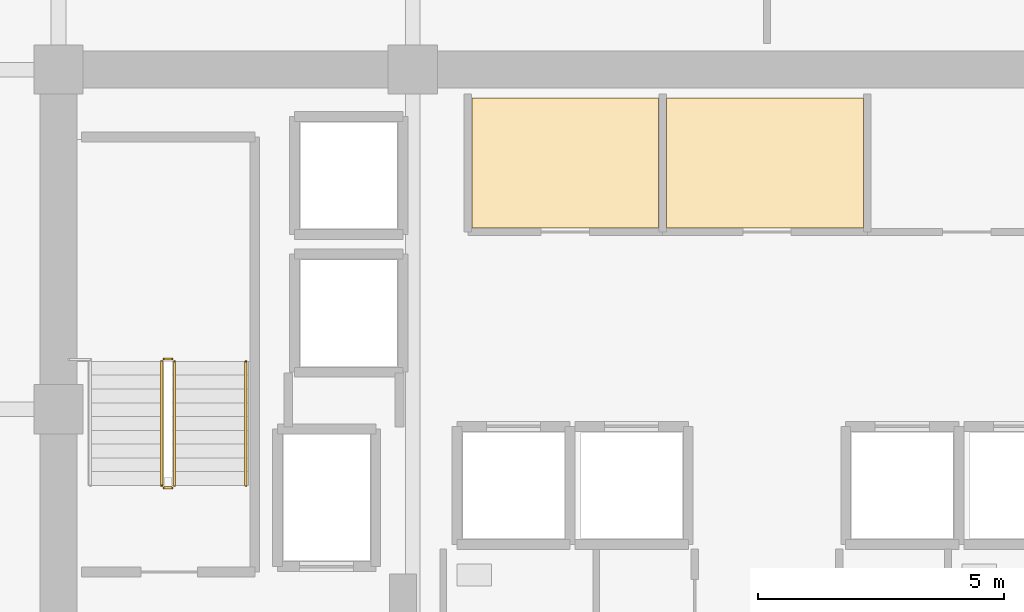
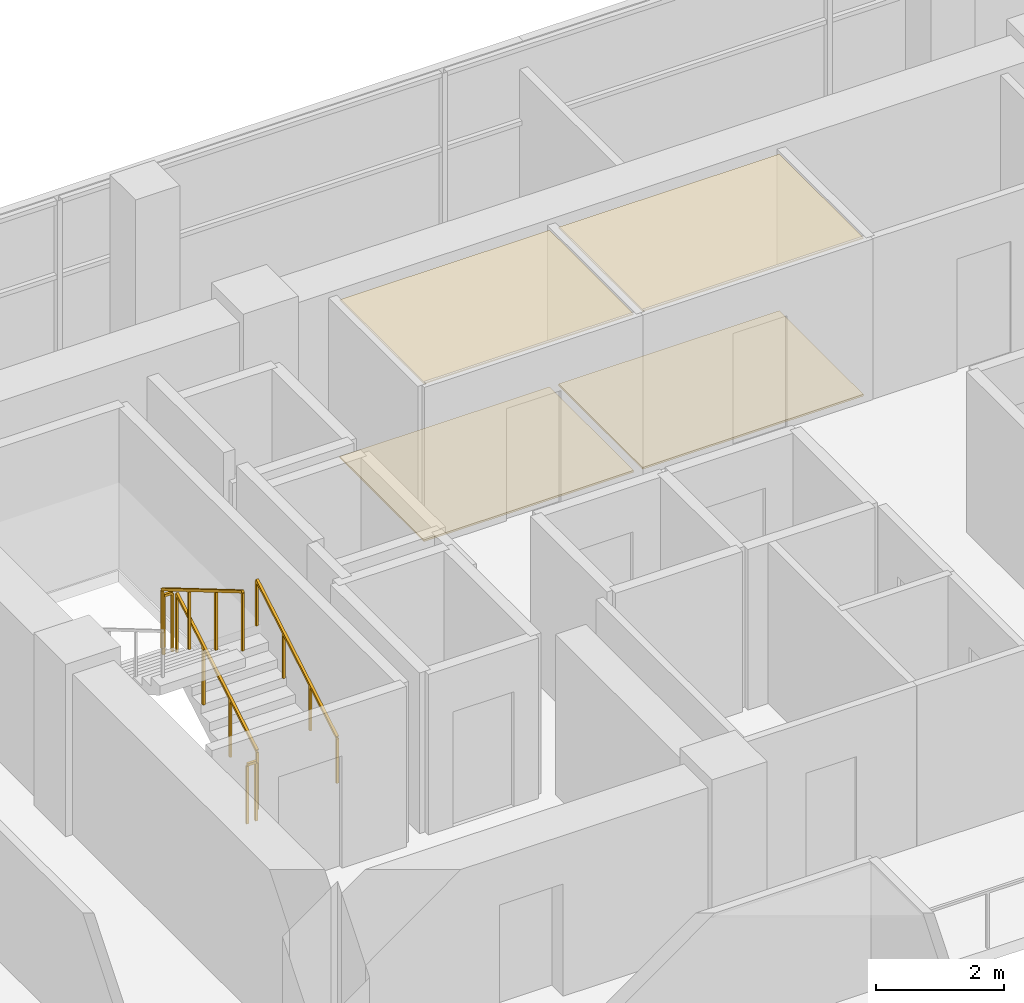
# One storey, part 22 of 24: 5 railings, 4 coverings.
"""IFC4 building model written with IfcOpenShell, lengths in metres."""

from ifc_helpers import new_model, si_unit, direction, frame, origin, origin_2d, place, context, subcontext, project, spatial, polyline, rectangle, outline, extrude, material, layer, layer_set, type_object, element, save


model = new_model("IFC4")

# Units and contexts
model_context = context("Model", 3, precision=1e-05, world=origin(), true_north=direction((0.0, 1.0)))
body_context = subcontext(model_context, "Body", "Model", "MODEL_VIEW")
ifc_project = project(units=[si_unit("LENGTHUNIT", "METRE"), si_unit("AREAUNIT", "SQUARE_METRE"), si_unit("VOLUMEUNIT", "CUBIC_METRE"), si_unit("PLANEANGLEUNIT", "RADIAN"), si_unit("MASSUNIT", "GRAM", prefix="KILO")], contexts=[model_context])

# Site, building, storey
site_placement = place(None, origin())
site = spatial("IfcSite", under=ifc_project, at=site_placement, CompositionType="ELEMENT")
building_placement = place(site_placement, origin())
building = spatial("IfcBuilding", under=site, at=building_placement, Name="Zarnakvel Exchange Tower", CompositionType="ELEMENT")
storey_placement = place(building_placement, frame((0.0, 0.0, 133.0)))
storey = spatial("IfcBuildingStorey", under=building, at=storey_placement, Name="L37", CompositionType="ELEMENT", Elevation=133.0)

# Coverings
ifc_material_1 = material(Name="Perforated Bronze Acoustic Metal Ceiling", Category="aluminium")
ifc_layer_1 = layer(ifc_material_1, 0.02001953125)
ifc_layer_set_1 = layer_set([ifc_layer_1], Name="Perforated Bronze Acoustic Metal Ceiling")
covering_type_1 = type_object("IfcCoveringType", Name="CLG-01", PredefinedType="CEILING", material=ifc_layer_set_1)
covering_1_placement = place(storey_placement, frame((0.0, 0.0, 3.014892578125)))
element("IfcCovering", 1, at=covering_1_placement, inside=storey, type_object=covering_type_1, Name="L37 Suspended Acoustic Ceiling (Clearing Records Office)", PredefinedType="CEILING", context=body_context, shape_type="SweptSolid", body=[
    extrude(outline(polyline([(-6.0, 12.919921875), (-2.199951171875, 12.919921875), (-2.199951171875, 10.280029296875), (-6.0, 10.280029296875), (-6.0, 12.919921875)])), origin(), (0.0, 0.0, 1.0), 0.02001953125),
])
covering_2_placement = place(storey_placement, frame((0.0, 0.0, 3.014892578125)))
element("IfcCovering", 2, at=covering_2_placement, inside=storey, type_object=covering_type_1, Name="L37 Suspended Acoustic Ceiling (Brokerage Filing Room)", PredefinedType="CEILING", context=body_context, shape_type="SweptSolid", body=[
    extrude(outline(polyline([(-2.0400390625, 12.919921875), (1.9599609375, 12.919921875), (1.9599609375, 10.280029296875), (-2.0400390625, 10.280029296875), (-2.0400390625, 12.919921875)])), origin(), (0.0, 0.0, 1.0), 0.02001953125),
])
ifc_material_2 = material(Name="Heavy-Duty Raised Access Floor Panel", Category="steel")
ifc_layer_2 = layer(ifc_material_2, 0.034912109375)
ifc_layer_set_2 = layer_set([ifc_layer_2], Name="Heavy-Duty Raised Access Floor Panel")
covering_type_2 = type_object("IfcCoveringType", Name="FLR-02", PredefinedType="FLOORING", material=ifc_layer_set_2)
covering_3_placement = place(storey_placement, origin())
element("IfcCovering", 3, at=covering_3_placement, inside=storey, type_object=covering_type_2, Name="L37 Floor Finish (Clearing Records Office)", PredefinedType="FLOORING", context=body_context, shape_type="SweptSolid", body=[
    extrude(outline(polyline([(-6.0, 12.919921875), (-2.199951171875, 12.919921875), (-2.199951171875, 10.280029296875), (-6.0, 10.280029296875), (-6.0, 12.919921875)])), origin(), (0.0, 0.0, 1.0), 0.034912109375),
])
covering_4_placement = place(storey_placement, origin())
element("IfcCovering", 4, at=covering_4_placement, inside=storey, type_object=covering_type_2, Name="L37 Floor Finish (Brokerage Filing Room)", PredefinedType="FLOORING", context=body_context, shape_type="SweptSolid", body=[
    extrude(outline(polyline([(-2.0400390625, 12.919921875), (1.9599609375, 12.919921875), (1.9599609375, 10.280029296875), (-2.0400390625, 10.280029296875), (-2.0400390625, 12.919921875)])), origin(), (0.0, 0.0, 1.0), 0.034912109375),
])

# Railings
ifc_material_3 = material(Name="Brushed Stainless Steel", Category="steel")
railing_type_1 = type_object("IfcRailingType", Name="HR-01", PredefinedType="HANDRAIL", material=ifc_material_3)
railing_1_placement = place(storey_placement, frame((-10.590087890625, 5.050048828125, 0.1650390625)))
element("IfcRailing", 5, at=railing_1_placement, inside=storey, type_object=railing_type_1, Name="L37 ST-01 stair handrail 1", PredefinedType="HANDRAIL", context=body_context, shape_type="SweptSolid", body=[
    extrude(rectangle(XDim=0.048095703125, YDim=0.048095703125, at=origin_2d()), frame((0.0, 0.0, 0.8759765625), z_axis=(0.0, 0.861560626758, 0.507654692109), x_axis=(-1.0, 0.0, 0.0)), (0.0, 0.0, 1.0), 2.925048828125),
    extrude(rectangle(XDim=0.0419921875, YDim=0.0419921875, at=origin_2d()), origin(), (0.0, 0.0, 1.0), 0.851806640625),
    extrude(rectangle(XDim=0.0419921875, YDim=0.0419921875, at=origin_2d()), frame((0.0, 0.840087890625, 0.494873046875)), (0.0, 0.0, 1.0), 0.851806640625),
    extrude(rectangle(XDim=0.0419921875, YDim=0.0419921875, at=origin_2d()), frame((0.0, 1.679931640625, 0.989990234375)), (0.0, 0.0, 1.0), 0.851806640625),
    extrude(rectangle(XDim=0.0419921875, YDim=0.0419921875, at=origin_2d()), frame((0.0, 2.52001953125, 1.48486328125)), (0.0, 0.0, 1.0), 0.851806640625),
])
ifc_material_4 = material(Name="Architectural Bronze Anodised Aluminium", Category="aluminium")
railing_type_2 = type_object("IfcRailingType", Name="SG-01", PredefinedType="GUARDRAIL", material=ifc_material_4)
railing_2_placement = place(storey_placement, frame((-12.0400390625, 5.050048828125, 0.1650390625)))
element("IfcRailing", 6, at=railing_2_placement, inside=storey, type_object=railing_type_2, Name="L37 ST-01 stair guard 1", PredefinedType="GUARDRAIL", context=body_context, shape_type="SweptSolid", body=[
    extrude(rectangle(XDim=0.048095703125, YDim=0.048095703125, at=origin_2d()), frame((0.0, 0.0, 1.1259765625), z_axis=(0.0, 0.861560626758, 0.507654692109), x_axis=(-1.0, 0.0, 0.0)), (0.0, 0.0, 1.0), 2.925048828125),
    extrude(rectangle(XDim=0.0419921875, YDim=0.0419921875, at=origin_2d()), origin(), (0.0, 0.0, 1.0), 1.101806640625),
    extrude(rectangle(XDim=0.0419921875, YDim=0.0419921875, at=origin_2d()), frame((0.0, 0.840087890625, 0.494873046875)), (0.0, 0.0, 1.0), 1.101806640625),
    extrude(rectangle(XDim=0.0419921875, YDim=0.0419921875, at=origin_2d()), frame((0.0, 1.679931640625, 0.989990234375)), (0.0, 0.0, 1.0), 1.101806640625),
    extrude(rectangle(XDim=0.0419921875, YDim=0.0419921875, at=origin_2d()), frame((0.0, 2.52001953125, 1.48486328125)), (0.0, 0.0, 1.0), 1.101806640625),
])
railing_3_placement = place(storey_placement, frame((-12.090087890625, 7.6201171875, 1.64990234375)))
element("IfcRailing", 7, at=railing_3_placement, inside=storey, type_object=railing_type_2, Name="L37 ST-01 stair guard 2", PredefinedType="GUARDRAIL", context=body_context, shape_type="SweptSolid", body=[
    extrude(rectangle(XDim=0.048095703125, YDim=0.048095703125, at=origin_2d()), frame((0.0, 0.0, 1.1259765625), z_axis=(-1.0, 0.0, 0.0), x_axis=(0.0, -1.0, 0.0)), (0.0, 0.0, 1.0), 0.159912109375),
    extrude(rectangle(XDim=0.0419921875, YDim=0.0419921875, at=origin_2d()), origin(), (0.0, 0.0, 1.0), 1.101806640625),
    extrude(rectangle(XDim=0.0419921875, YDim=0.0419921875, at=origin_2d()), frame((-0.159912109375, 0.0, 0.0)), (0.0, 0.0, 1.0), 1.101806640625),
])
railing_4_placement = place(storey_placement, frame((-12.300048828125, 7.570068359375, 1.81494140625)))
element("IfcRailing", 8, at=railing_4_placement, inside=storey, type_object=railing_type_2, Name="L37 ST-01 stair guard 3", PredefinedType="GUARDRAIL", context=body_context, shape_type="SweptSolid", body=[
    extrude(rectangle(XDim=0.048095703125, YDim=0.048095703125, at=origin_2d()), frame((0.0, 0.0, 1.1259765625), z_axis=(0.0, -0.86152411907, 0.507716645641), x_axis=(1.0, 0.0, 0.0)), (0.0, 0.0, 1.0), 2.925048828125),
    extrude(rectangle(XDim=0.0419921875, YDim=0.0419921875, at=origin_2d()), origin(), (0.0, 0.0, 1.0), 1.101806640625),
    extrude(rectangle(XDim=0.0419921875, YDim=0.0419921875, at=origin_2d()), frame((0.0, -0.840087890625, 0.4951171875)), (0.0, 0.0, 1.0), 1.101806640625),
    extrude(rectangle(XDim=0.0419921875, YDim=0.0419921875, at=origin_2d()), frame((0.0, -1.679931640625, 0.989990234375)), (0.0, 0.0, 1.0), 1.101806640625),
    extrude(rectangle(XDim=0.0419921875, YDim=0.0419921875, at=origin_2d()), frame((0.0, -2.52001953125, 1.485107421875)), (0.0, 0.0, 1.0), 1.101806640625),
])
railing_5_placement = place(storey_placement, frame((-12.090087890625, 5.0, 0.0)))
element("IfcRailing", 9, at=railing_5_placement, inside=storey, type_object=railing_type_2, Name="L37 ST-01 stair guard 4", PredefinedType="GUARDRAIL", context=body_context, shape_type="SweptSolid", body=[
    extrude(rectangle(XDim=0.048095703125, YDim=0.048095703125, at=origin_2d()), frame((0.0, 0.0, 1.1259765625), z_axis=(-1.0, 0.0, 0.0), x_axis=(0.0, -1.0, 0.0)), (0.0, 0.0, 1.0), 0.159912109375),
    extrude(rectangle(XDim=0.0419921875, YDim=0.0419921875, at=origin_2d()), origin(), (0.0, 0.0, 1.0), 1.101806640625),
    extrude(rectangle(XDim=0.0419921875, YDim=0.0419921875, at=origin_2d()), frame((-0.159912109375, 0.0, 0.0)), (0.0, 0.0, 1.0), 1.101806640625),
])

save(model, "model.ifc")
